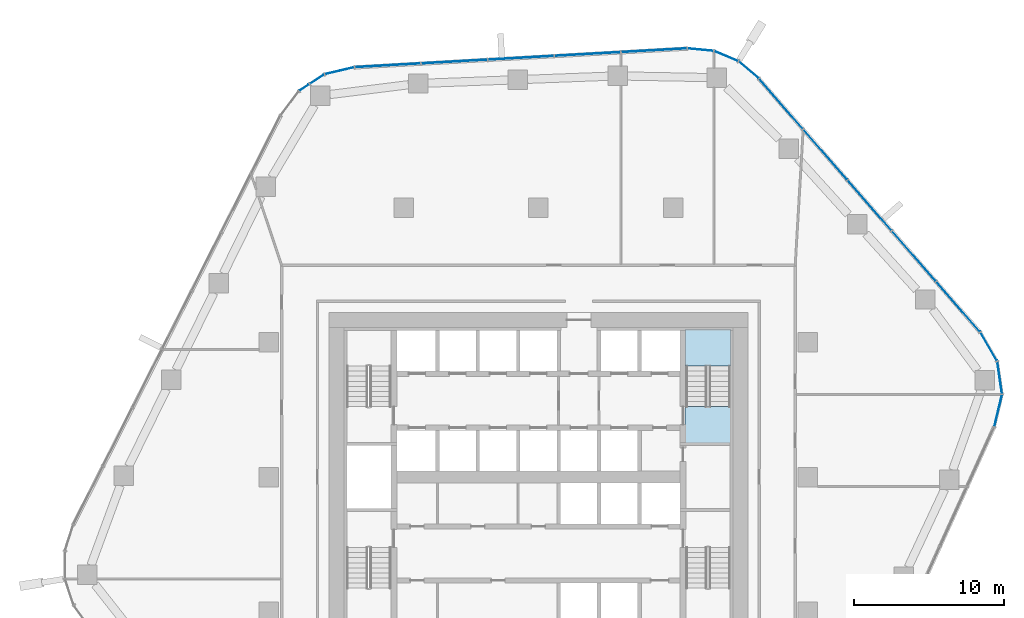
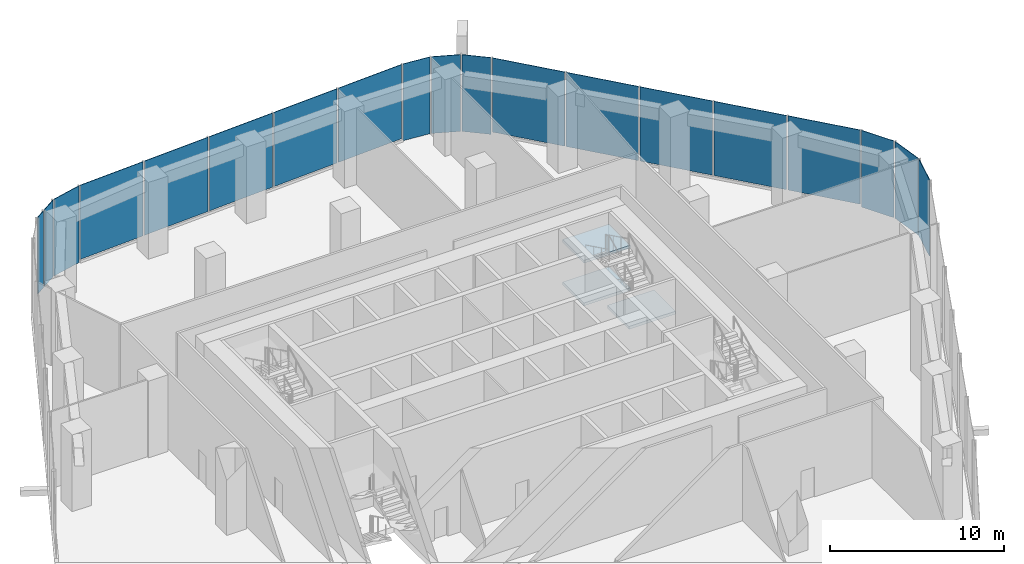
# One storey, part 10 of 18: 19 plates, 3 slabs, 7 elements without a shape of their own.
"""IFC4 building model written with IfcOpenShell, lengths in metres."""

from ifc_helpers import new_model, si_unit, direction, frame, origin, origin_2d, place, context, subcontext, project, spatial, polyline, rectangle, outline, extrude, material, layer, layer_set, type_object, element, aggregate, save


model = new_model("IFC4")

# Units and contexts
model_context = context("Model", 3, precision=1e-05, world=origin(), true_north=direction((0.0, 1.0)))
body_context = subcontext(model_context, "Body", "Model", "MODEL_VIEW")
ifc_project = project(units=[si_unit("LENGTHUNIT", "METRE"), si_unit("AREAUNIT", "SQUARE_METRE"), si_unit("VOLUMEUNIT", "CUBIC_METRE"), si_unit("PLANEANGLEUNIT", "RADIAN"), si_unit("MASSUNIT", "GRAM", prefix="KILO")], contexts=[model_context])

# Site, building, storey
site_placement = place(None, origin())
site = spatial("IfcSite", under=ifc_project, at=site_placement, CompositionType="ELEMENT")
building_placement = place(site_placement, origin())
building = spatial("IfcBuilding", under=site, at=building_placement, Name="Dongbaek Canopy Tower", CompositionType="ELEMENT")
storey_placement = place(building_placement, frame((0.0, 0.0, 139.60009765625)))
storey = spatial("IfcBuildingStorey", under=building, at=storey_placement, Name="L31", CompositionType="ELEMENT", Elevation=139.60009765625)

# Curtain wall, plates
ifc_material_1 = material(Name="Aluminium 6063-T6 pale anodised", Category="aluminium")
ifc_layer_1 = layer(ifc_material_1, 0.25)
ifc_layer_set_1 = layer_set([ifc_layer_1], Name="CW-4 sky-lobby curtain wall")
curtain_wall_type = type_object("IfcCurtainWallType", Name="CW-4 sky-lobby curtain wall", PredefinedType="NOTDEFINED", material=ifc_layer_set_1)
curtain_wall_1_placement = place(storey_placement, origin())
curtain_wall_1 = element("IfcCurtainWall", 1, at=curtain_wall_1_placement, inside=storey, type_object=curtain_wall_type, Name="CW-4 curtain wall K0.1", PredefinedType="NOTDEFINED")
ifc_material_2 = material(Name="Clear laminated glass", Category="glass")
ifc_layer_2 = layer(ifc_material_2, 0.035888671875)
ifc_layer_set_2 = layer_set([ifc_layer_2], Name="CW-4 glazed panel 36")
plate_type = type_object("IfcPlateType", Name="CW-4 glazed panel 36", PredefinedType="CURTAIN_PANEL", material=ifc_layer_set_2)
plate_1_placement = place(storey_placement, frame((30.705078125, 4.438232421875, 0.0), z_axis=(0.0, 0.0, 1.0), x_axis=(0.23284031936, 0.972514979669, 0.0)))
plate_1 = element("IfcPlate", 2, at=plate_1_placement, type_object=plate_type, Name="CW-4 panel K0.1.1.1", PredefinedType="CURTAIN_PANEL", context=body_context, shape_type="SweptSolid", body=[
    extrude(rectangle(XDim=2.149658203125, YDim=0.035888671875, at=origin_2d()), origin(), (0.0, 0.0, 1.0), 5.39990234375),
])
plate_2_placement = place(storey_placement, frame((30.8037109375, 6.634521484375, 0.0), z_axis=(0.0, 0.0, 1.0), x_axis=(-0.14555125678, 0.989350712159, 0.0)))
plate_2 = element("IfcPlate", 3, at=plate_2_placement, type_object=plate_type, Name="CW-4 panel K0.1.2.1", PredefinedType="CURTAIN_PANEL", context=body_context, shape_type="SweptSolid", body=[
    extrude(rectangle(XDim=2.14013671875, YDim=0.035888671875, at=origin_2d()), origin(), (0.0, 0.0, 1.0), 5.39990234375),
])
plate_3_placement = place(storey_placement, frame((30.076904296875, 8.709228515625, 0.0), z_axis=(0.0, 0.0, 1.0), x_axis=(-0.503061521754, 0.864250603315, 0.0)))
plate_3 = element("IfcPlate", 4, at=plate_3_placement, type_object=plate_type, Name="CW-4 panel K0.1.3.1", PredefinedType="CURTAIN_PANEL", context=body_context, shape_type="SweptSolid", body=[
    extrude(rectangle(XDim=2.149658203125, YDim=0.035888671875, at=origin_2d()), origin(), (0.0, 0.0, 1.0), 5.39990234375),
])
aggregate(curtain_wall_1, [plate_1, plate_2, plate_3])

curtain_wall_2_placement = place(storey_placement, origin())
curtain_wall_2 = element("IfcCurtainWall", 5, at=curtain_wall_2_placement, inside=storey, type_object=curtain_wall_type, Name="CW-4 curtain wall F0.1", PredefinedType="NOTDEFINED")
plate_4_placement = place(storey_placement, frame((28.035888671875, 11.370361328125, 0.1796875), z_axis=(0.0, 0.0, 1.0), x_axis=(-0.657632109103, 0.753339239039, 0.0)))
plate_4 = element("IfcPlate", 6, at=plate_4_placement, type_object=plate_type, Name="CW-4 panel F0.1.1.1", PredefinedType="CURTAIN_PANEL", context=body_context, shape_type="SweptSolid", body=[
    extrude(rectangle(XDim=4.396728515625, YDim=0.035888671875, at=origin_2d()), origin(), (0.0, 0.0, 1.0), 5.219970703125),
])
plate_5_placement = place(storey_placement, frame((25.079345703125, 14.757080078125, 0.1796875), z_axis=(0.0, 0.0, 1.0), x_axis=(-0.657632109103, 0.753339239039, 0.0)))
plate_5 = element("IfcPlate", 7, at=plate_5_placement, type_object=plate_type, Name="CW-4 panel F0.1.2.1", PredefinedType="CURTAIN_PANEL", context=body_context, shape_type="SweptSolid", body=[
    extrude(rectangle(XDim=4.40625, YDim=0.035888671875, at=origin_2d()), origin(), (0.0, 0.0, 1.0), 5.219970703125),
])
plate_6_placement = place(storey_placement, frame((22.119873046875, 18.147216796875, 0.1796875), z_axis=(0.0, 0.0, 1.0), x_axis=(-0.657632109103, 0.753339239039, 0.0)))
plate_6 = element("IfcPlate", 8, at=plate_6_placement, type_object=plate_type, Name="CW-4 panel F0.1.3.1", PredefinedType="CURTAIN_PANEL", context=body_context, shape_type="SweptSolid", body=[
    extrude(rectangle(XDim=4.40625, YDim=0.035888671875, at=origin_2d()), origin(), (0.0, 0.0, 1.0), 5.219970703125),
])
plate_7_placement = place(storey_placement, frame((19.160400390625, 21.53759765625, 0.1796875), z_axis=(0.0, 0.0, 1.0), x_axis=(-0.657632109103, 0.753339239039, 0.0)))
plate_7 = element("IfcPlate", 9, at=plate_7_placement, type_object=plate_type, Name="CW-4 panel F0.1.4.1", PredefinedType="CURTAIN_PANEL", context=body_context, shape_type="SweptSolid", body=[
    extrude(rectangle(XDim=4.40625, YDim=0.035888671875, at=origin_2d()), origin(), (0.0, 0.0, 1.0), 5.219970703125),
])
plate_8_placement = place(storey_placement, frame((16.203125, 24.925048828125, 0.1796875), z_axis=(0.0, 0.0, 1.0), x_axis=(-0.657632109103, 0.753339239039, 0.0)))
plate_8 = element("IfcPlate", 10, at=plate_8_placement, type_object=plate_type, Name="CW-4 panel F0.1.5.1", PredefinedType="CURTAIN_PANEL", context=body_context, shape_type="SweptSolid", body=[
    extrude(rectangle(XDim=4.398681640625, YDim=0.035888671875, at=origin_2d()), origin(), (0.0, 0.0, 1.0), 5.219970703125),
])
aggregate(curtain_wall_2, [plate_4, plate_5, plate_6, plate_7, plate_8])

curtain_wall_3_placement = place(storey_placement, origin())
curtain_wall_3 = element("IfcCurtainWall", 11, at=curtain_wall_3_placement, inside=storey, type_object=curtain_wall_type, Name="CW-4 curtain wall K1.1", PredefinedType="NOTDEFINED")
plate_9_placement = place(storey_placement, frame((14.04248046875, 27.194580078125, 0.0), z_axis=(0.0, 0.0, 1.0), x_axis=(-0.763864243581, 0.645376957583, 0.0)))
plate_9 = element("IfcPlate", 12, at=plate_9_placement, type_object=plate_type, Name="CW-4 panel K1.1.1.1", PredefinedType="CURTAIN_PANEL", context=body_context, shape_type="SweptSolid", body=[
    extrude(rectangle(XDim=1.695556640625, YDim=0.035888671875, at=origin_2d()), origin(), (0.0, 0.0, 1.0), 5.39990234375),
])
plate_10_placement = place(storey_placement, frame((12.537841796875, 28.11767578125, 0.0), z_axis=(0.0, 0.0, 1.0), x_axis=(-0.921721741051, 0.387851817159, 0.0)))
plate_10 = element("IfcPlate", 13, at=plate_10_placement, type_object=plate_type, Name="CW-4 panel K1.1.2.1", PredefinedType="CURTAIN_PANEL", context=body_context, shape_type="SweptSolid", body=[
    extrude(rectangle(XDim=1.687744140625, YDim=0.035888671875, at=origin_2d()), origin(), (0.0, 0.0, 1.0), 5.39990234375),
])
plate_11_placement = place(storey_placement, frame((10.825927734375, 28.548095703125, 0.0), z_axis=(0.0, 0.0, 1.0), x_axis=(-0.995483017528, 0.094939779936, 0.0)))
plate_11 = element("IfcPlate", 14, at=plate_11_placement, type_object=plate_type, Name="CW-4 panel K1.1.3.1", PredefinedType="CURTAIN_PANEL", context=body_context, shape_type="SweptSolid", body=[
    extrude(rectangle(XDim=1.695556640625, YDim=0.035888671875, at=origin_2d()), origin(), (0.0, 0.0, 1.0), 5.39990234375),
])
aggregate(curtain_wall_3, [plate_9, plate_10, plate_11])

curtain_wall_4_placement = place(storey_placement, origin())
curtain_wall_4 = element("IfcCurtainWall", 15, at=curtain_wall_4_placement, inside=storey, type_object=curtain_wall_type, Name="CW-4 curtain wall F1.1", PredefinedType="NOTDEFINED")
plate_12_placement = place(storey_placement, frame((7.715576171875, 28.507568359375, 0.1796875), z_axis=(0.0, 0.0, 1.0), x_axis=(-0.998402862937, -0.056495338566, 0.0)))
plate_12 = element("IfcPlate", 16, at=plate_12_placement, type_object=plate_type, Name="CW-4 panel F1.1.1.1", PredefinedType="CURTAIN_PANEL", context=body_context, shape_type="SweptSolid", body=[
    extrude(rectangle(XDim=4.352783203125, YDim=0.035888671875, at=origin_2d()), origin(), (0.0, 0.0, 1.0), 5.219970703125),
])
plate_13_placement = place(storey_placement, frame((3.27197265625, 28.256103515625, 0.1796875), z_axis=(0.0, 0.0, 1.0), x_axis=(-0.998402862937, -0.056495338566, 0.0)))
plate_13 = element("IfcPlate", 17, at=plate_13_placement, type_object=plate_type, Name="CW-4 panel F1.1.2.1", PredefinedType="CURTAIN_PANEL", context=body_context, shape_type="SweptSolid", body=[
    extrude(rectangle(XDim=4.3603515625, YDim=0.035888671875, at=origin_2d()), origin(), (0.0, 0.0, 1.0), 5.219970703125),
])
plate_14_placement = place(storey_placement, frame((-1.17529296875, 28.00439453125, 0.1796875), z_axis=(0.0, 0.0, 1.0), x_axis=(-0.998402862937, -0.056495338566, 0.0)))
plate_14 = element("IfcPlate", 18, at=plate_14_placement, type_object=plate_type, Name="CW-4 panel F1.1.3.1", PredefinedType="CURTAIN_PANEL", context=body_context, shape_type="SweptSolid", body=[
    extrude(rectangle(XDim=4.3603515625, YDim=0.035888671875, at=origin_2d()), origin(), (0.0, 0.0, 1.0), 5.219970703125),
])
plate_15_placement = place(storey_placement, frame((-5.62255859375, 27.752685546875, 0.1796875), z_axis=(0.0, 0.0, 1.0), x_axis=(-0.998402862937, -0.056495338566, 0.0)))
plate_15 = element("IfcPlate", 19, at=plate_15_placement, type_object=plate_type, Name="CW-4 panel F1.1.4.1", PredefinedType="CURTAIN_PANEL", context=body_context, shape_type="SweptSolid", body=[
    extrude(rectangle(XDim=4.3603515625, YDim=0.035888671875, at=origin_2d()), origin(), (0.0, 0.0, 1.0), 5.219970703125),
])
plate_16_placement = place(storey_placement, frame((-10.0654296875, 27.501220703125, 0.1796875), z_axis=(0.0, 0.0, 1.0), x_axis=(-0.998402862937, -0.056495338566, 0.0)))
plate_16 = element("IfcPlate", 20, at=plate_16_placement, type_object=plate_type, Name="CW-4 panel F1.1.5.1", PredefinedType="CURTAIN_PANEL", context=body_context, shape_type="SweptSolid", body=[
    extrude(rectangle(XDim=4.3515625, YDim=0.035888671875, at=origin_2d()), origin(), (0.0, 0.0, 1.0), 5.219970703125),
])
aggregate(curtain_wall_4, [plate_12, plate_13, plate_14, plate_15, plate_16])

curtain_wall_5_placement = place(storey_placement, origin())
curtain_wall_5 = element("IfcCurtainWall", 21, at=curtain_wall_5_placement, inside=storey, type_object=curtain_wall_type, Name="CW-4 curtain wall K2.1a", PredefinedType="NOTDEFINED")
plate_17_placement = place(storey_placement, frame((-13.284423828125, 27.140869140625, 0.0), z_axis=(0.0, 0.0, 1.0), x_axis=(-0.973498889824, -0.228691739055, 0.0)))
plate_17 = element("IfcPlate", 22, at=plate_17_placement, type_object=plate_type, Name="CW-4 panel K2.1a.1.1", PredefinedType="CURTAIN_PANEL", context=body_context, shape_type="SweptSolid", body=[
    extrude(rectangle(XDim=1.959716796875, YDim=0.035888671875, at=origin_2d()), origin(), (0.0, 0.0, 1.0), 5.39990234375),
])
plate_18_placement = place(storey_placement, frame((-14.784423828125, 26.578857421875, 0.0), z_axis=(0.0, 0.0, 1.0), x_axis=(-0.836928214038, -0.547312675303, 0.0)))
plate_18 = element("IfcPlate", 23, at=plate_18_placement, type_object=plate_type, Name="CW-4 panel K2.1a.2.1", PredefinedType="CURTAIN_PANEL", context=body_context, shape_type="SweptSolid", body=[
    extrude(rectangle(XDim=1.1015625, YDim=0.035888671875, at=origin_2d()), origin(), (0.0, 0.0, 1.0), 5.39990234375),
])
aggregate(curtain_wall_5, [plate_17, plate_18])

# Curtain wall, plate
curtain_wall_6_placement = place(storey_placement, origin())
curtain_wall_6 = element("IfcCurtainWall", 24, at=curtain_wall_6_placement, inside=storey, type_object=curtain_wall_type, Name="CW-4 curtain wall K2.1b", PredefinedType="NOTDEFINED")
plate_19_placement = place(storey_placement, frame((-15.653076171875, 26.0107421875, 0.0), z_axis=(0.0, 0.0, 1.0), x_axis=(-0.836928214038, -0.547312675303, 0.0)))
plate_19 = element("IfcPlate", 25, at=plate_19_placement, type_object=plate_type, Name="CW-4 panel K2.1b.1.1", PredefinedType="CURTAIN_PANEL", context=body_context, shape_type="SweptSolid", body=[
    extrude(rectangle(XDim=0.723876953125, YDim=0.035888671875, at=origin_2d()), origin(), (0.0, 0.0, 1.0), 5.39990234375),
])
aggregate(curtain_wall_6, [plate_19])

# Stair, slabs
ifc_material_3 = material(Name="Concrete C40/50", Category="concrete")
stair_type = type_object("IfcStairType", Name="Core exit stair", PredefinedType="HALF_TURN_STAIR", material=ifc_material_3)
stair_placement = place(storey_placement, origin())
stair = element("IfcStair", 26, at=stair_placement, inside=storey, type_object=stair_type, Name="L31 exit stair A", PredefinedType="HALF_TURN_STAIR")
ifc_material_4 = material(Name="Concrete C40/50", Category="concrete")
ifc_layer_3 = layer(ifc_material_4, 0.199951171875)
ifc_layer_set_3 = layer_set([ifc_layer_3], Name="Core stair landing 200")
slab_type = type_object("IfcSlabType", Name="Core stair landing 200", PredefinedType="LANDING", material=ifc_layer_set_3)
slab_1_placement = place(storey_placement, frame((0.0, 0.0, 1.2998046875)))
slab_1 = element("IfcSlab", 27, at=slab_1_placement, type_object=slab_type, Name="ST-A landing 1", PredefinedType="LANDING", context=body_context, shape_type="SweptSolid", body=[
    extrude(outline(polyline([(12.875, 7.419921875), (12.875, 9.875), (9.77490234375, 9.875), (9.77490234375, 7.419921875), (12.875, 7.419921875)])), origin(), (0.0, 0.0, 1.0), 0.2001953125),
])
slab_2_placement = place(storey_placement, frame((0.0, 0.0, 2.7998046875)))
slab_2 = element("IfcSlab", 28, at=slab_2_placement, type_object=slab_type, Name="ST-A landing 2", PredefinedType="LANDING", context=body_context, shape_type="SweptSolid", body=[
    extrude(outline(polyline([(12.875, 2.22509765625), (12.875, 4.699951171875), (9.77490234375, 4.699951171875), (9.77490234375, 2.22509765625), (12.875, 2.22509765625)])), origin(), (0.0, 0.0, 1.0), 0.2001953125),
])
slab_3_placement = place(storey_placement, frame((0.0, 0.0, 4.2998046875)))
slab_3 = element("IfcSlab", 29, at=slab_3_placement, type_object=slab_type, Name="ST-A landing 3", PredefinedType="LANDING", context=body_context, shape_type="SweptSolid", body=[
    extrude(outline(polyline([(12.875, 7.419921875), (12.875, 9.875), (9.77490234375, 9.875), (9.77490234375, 7.419921875), (12.875, 7.419921875)])), origin(), (0.0, 0.0, 1.0), 0.2001953125),
])
aggregate(stair, [slab_1, slab_2, slab_3])

save(model, "model.ifc")
